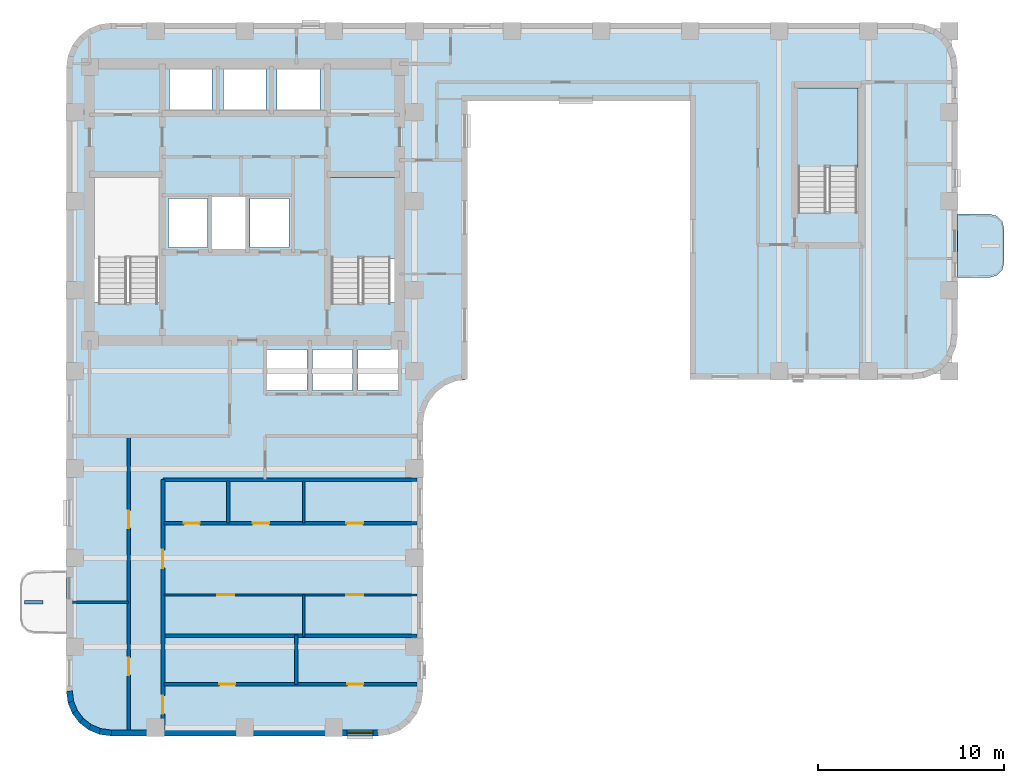
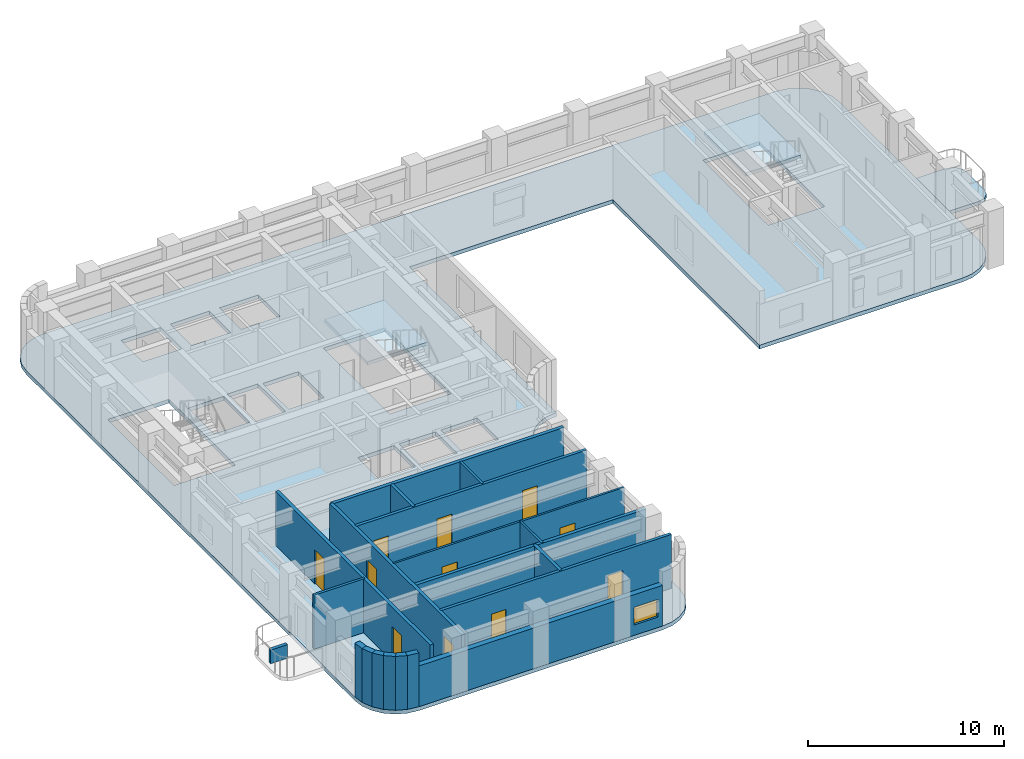
# One storey, part 2 of 9: 20 walls, 11 doors, 4 slabs, 1 window, 12 openings, 2 elements without a shape of their own.
"""IFC4 building model written with IfcOpenShell, lengths in metres."""

from ifc_helpers import new_model, si_unit, direction, frame, frame_2d, origin, place, context, subcontext, project, spatial, polyline, rectangle, outline, extrude, material, layer, layer_set, type_object, element, fill, aggregate, save


model = new_model("IFC4")

# Units and contexts
model_context = context("Model", 3, precision=1e-05, world=origin(), true_north=direction((0.0, 1.0)))
body_context = subcontext(model_context, "Body", "Model", "MODEL_VIEW")
ifc_project = project(units=[si_unit("LENGTHUNIT", "METRE"), si_unit("AREAUNIT", "SQUARE_METRE"), si_unit("VOLUMEUNIT", "CUBIC_METRE"), si_unit("PLANEANGLEUNIT", "RADIAN"), si_unit("MASSUNIT", "GRAM", prefix="KILO")], contexts=[model_context])

# Site, building, storey
site_placement = place(None, origin())
site = spatial("IfcSite", under=ifc_project, at=site_placement, CompositionType="ELEMENT")
building_placement = place(site_placement, origin())
building = spatial("IfcBuilding", under=site, at=building_placement, Name="Orvandelia Arch Residences", CompositionType="ELEMENT")
storey_placement = place(building_placement, frame((0.0, 0.0, 186.39990234375)))
storey = spatial("IfcBuildingStorey", under=building, at=storey_placement, Name="L49", CompositionType="ELEMENT", Elevation=186.39990234375)

# Slab
ifc_material_1 = material(Name="Precast concrete C40/50", Category="concrete")
ifc_layer_1 = layer(ifc_material_1, 0.219970703125, Name="Precast concrete C40/50", Category="concrete")
ifc_layer_set_1 = layer_set([ifc_layer_1], Name="Precast concrete C40/50")
slab_type_1 = type_object("IfcSlabType", Name="SLB-BAL-220", PredefinedType="USERDEFINED", material=ifc_layer_set_1)
slab_1_placement = place(storey_placement, frame((0.0, 0.0, -0.219970703125)))
element("IfcSlab", 1, at=slab_1_placement, inside=storey, type_object=slab_type_1, Name="Tree Balcony Cantilever Slab BAL-L49-E1", ObjectType="BALCONY", PredefinedType="USERDEFINED", context=body_context, shape_type="SweptSolid", body=[
    extrude(outline(polyline([(52.800048828125, 37.699951171875), (52.800048828125, 34.300048828125), (54.550048828125, 34.300048828125), (54.925048828125, 34.400390625), (55.199462890625, 34.675048828125), (55.300048828125, 35.050048828125), (55.300048828125, 36.949951171875), (55.199462890625, 37.324951171875), (54.925048828125, 37.599609375), (54.550048828125, 37.699951171875), (52.800048828125, 37.699951171875)])), origin(), (0.0, 0.0, 1.0), 0.219970703125),
])

# Stair, slab
ifc_material_2 = material(Name="Concrete C40/50", Category="concrete")
stair_type = type_object("IfcStairType", Name="STAIR-RC-DOGLEG", PredefinedType="HALF_TURN_STAIR", material=ifc_material_2)
stair_1_placement = place(storey_placement, origin())
stair_1 = element("IfcStair", 2, at=stair_1_placement, inside=storey, type_object=stair_type, Name="L49 Protected Exit Stair ST-2", PredefinedType="HALF_TURN_STAIR")
ifc_layer_2 = layer(ifc_material_2, 0.219970703125, Name="Concrete C40/50", Category="concrete")
ifc_layer_set_2 = layer_set([ifc_layer_2], Name="Concrete C40/50")
slab_type_2 = type_object("IfcSlabType", Name="SLB-LANDING-220", PredefinedType="LANDING", material=ifc_layer_set_2)
slab_2_placement = place(storey_placement, frame((0.0, 0.0, 1.60009765625)))
slab_2 = element("IfcSlab", 3, at=slab_2_placement, type_object=slab_type_2, Name="ST-2 landing 1", PredefinedType="LANDING", context=body_context, shape_type="SweptSolid", body=[
    extrude(outline(polyline([(22.5400390625, 35.31005859375), (22.5400390625, 39.68994140625), (19.0, 39.68994140625), (19.0, 35.31005859375), (22.5400390625, 35.31005859375)])), origin(), (0.0, 0.0, 1.0), 0.199951171875),
])
aggregate(stair_1, [slab_2])

stair_2_placement = place(storey_placement, origin())
stair_2 = element("IfcStair", 4, at=stair_2_placement, inside=storey, type_object=stair_type, Name="L49 East Wing Exit Stair ST-3", PredefinedType="HALF_TURN_STAIR")
slab_3_placement = place(storey_placement, frame((0.0, 0.0, 1.60009765625)))
slab_3 = element("IfcSlab", 5, at=slab_3_placement, type_object=slab_type_2, Name="ST-3 landing 1", PredefinedType="LANDING", context=body_context, shape_type="SweptSolid", body=[
    extrude(outline(polyline([(47.43994140625, 40.2099609375), (47.43994140625, 44.5), (44.179931640625, 44.5), (44.179931640625, 40.2099609375), (47.43994140625, 40.2099609375)])), origin(), (0.0, 0.0, 1.0), 0.199951171875),
])
aggregate(stair_2, [slab_3])

# Slab
ifc_layer_3 = layer(ifc_material_2, 0.239990234375, Name="Concrete C40/50", Category="concrete")
ifc_layer_set_3 = layer_set([ifc_layer_3], Name="Concrete C40/50")
slab_type_3 = type_object("IfcSlabType", Name="SLB-TWR-240", PredefinedType="FLOOR", material=ifc_layer_set_3)
slab_4_placement = place(storey_placement, frame((0.0, 0.0, -0.239990234375)))
element("IfcSlab", 6, at=slab_4_placement, inside=storey, type_object=slab_type_3, Name="Structural Floor Slab L49-1", PredefinedType="FLOOR", context=body_context, shape_type="SweptSolid", body=[
    extrude(outline(polyline([(4.800048828125, 12.0), (4.8818359375, 11.37890625), (5.12158203125, 10.800048828125), (5.5029296875, 10.302978515625), (6.0, 9.92138671875), (6.578857421875, 9.681884765625), (7.199951171875, 9.60009765625), (21.60009765625, 9.60009765625), (22.22119140625, 9.681884765625), (22.800048828125, 9.92138671875), (23.297119140625, 10.302978515625), (23.678466796875, 10.800048828125), (23.918212890625, 11.37890625), (24.0, 12.0), (24.0, 26.39990234375), (24.081787109375, 27.021240234375), (24.321533203125, 27.60009765625), (24.702880859375, 28.09716796875), (25.199951171875, 28.478515625), (25.77880859375, 28.71826171875), (26.39990234375, 28.800048828125), (26.39990234375, 43.800048828125), (38.39990234375, 43.800048828125), (38.39990234375, 28.800048828125), (50.39990234375, 28.800048828125), (51.021240234375, 28.8818359375), (51.60009765625, 29.12158203125), (52.09716796875, 29.5029296875), (52.478515625, 30.0), (52.71826171875, 30.578857421875), (52.800048828125, 31.199951171875), (52.800048828125, 45.60009765625), (52.71826171875, 46.22119140625), (52.478515625, 46.800048828125), (52.09716796875, 47.297119140625), (51.60009765625, 47.678466796875), (51.021240234375, 47.918212890625), (50.39990234375, 48.0), (7.199951171875, 48.0), (6.578857421875, 47.918212890625), (6.0, 47.678466796875), (5.5029296875, 47.297119140625), (5.12158203125, 46.800048828125), (4.8818359375, 46.22119140625), (4.800048828125, 45.60009765625), (4.800048828125, 12.0)]), holes=[polyline([(6.219970703125, 32.949951171875), (9.840087890625, 32.949951171875), (9.840087890625, 39.72998046875), (6.219970703125, 39.72998046875), (6.219970703125, 32.949951171875)]), polyline([(18.9599609375, 32.949951171875), (22.580078125, 32.949951171875), (22.580078125, 39.72998046875), (18.9599609375, 39.72998046875), (18.9599609375, 32.949951171875)]), polyline([(44.139892578125, 37.85009765625), (47.47998046875, 37.85009765625), (47.47998046875, 44.5400390625), (44.139892578125, 44.5400390625), (44.139892578125, 37.85009765625)]), polyline([(12.639892578125, 35.81005859375), (14.4599609375, 35.81005859375), (14.4599609375, 38.639892578125), (12.639892578125, 38.639892578125), (12.639892578125, 35.81005859375)]), polyline([(10.300048828125, 35.89990234375), (12.39990234375, 35.89990234375), (12.39990234375, 38.550048828125), (10.300048828125, 38.550048828125), (10.300048828125, 35.89990234375)]), polyline([(14.699951171875, 35.89990234375), (16.800048828125, 35.89990234375), (16.800048828125, 38.550048828125), (14.699951171875, 38.550048828125), (14.699951171875, 35.89990234375)]), polyline([(10.35009765625, 43.300048828125), (12.64990234375, 43.300048828125), (12.64990234375, 45.5), (10.35009765625, 45.5), (10.35009765625, 43.300048828125)]), polyline([(13.25, 43.300048828125), (15.550048828125, 43.300048828125), (15.550048828125, 45.5), (13.25, 45.5), (13.25, 43.300048828125)]), polyline([(16.14990234375, 43.300048828125), (18.449951171875, 43.300048828125), (18.449951171875, 45.5), (16.14990234375, 45.5), (16.14990234375, 43.300048828125)]), polyline([(15.60009765625, 28.199951171875), (17.75, 28.199951171875), (17.75, 30.39990234375), (15.60009765625, 30.39990234375), (15.60009765625, 28.199951171875)]), polyline([(18.050048828125, 28.199951171875), (20.199951171875, 28.199951171875), (20.199951171875, 30.39990234375), (18.050048828125, 30.39990234375), (18.050048828125, 28.199951171875)]), polyline([(20.5, 28.199951171875), (22.64990234375, 28.199951171875), (22.64990234375, 30.39990234375), (20.5, 30.39990234375), (20.5, 28.199951171875)])]), origin(), (0.0, 0.0, 1.0), 0.239990234375),
])

# Wall, openings, doors
ifc_material_3 = material(Name="Fire-Rated Corridor Partition")
ifc_layer_4 = layer(ifc_material_3, 0.199951171875, Name="Fire-Rated Corridor Partition")
ifc_layer_set_4 = layer_set([ifc_layer_4], Name="Fire-Rated Corridor Partition")
wall_type_1 = type_object("IfcWallType", Name="WL-CORR-200", PredefinedType="PARTITIONING", material=ifc_layer_set_4)
wall_1_placement = place(storey_placement, frame((8.14990234375, 9.919921875, 0.0), z_axis=(0.0, 0.0, 1.0), x_axis=(0.0, 1.0, 0.0)))
wall_1 = element("IfcWall", 7, at=wall_1_placement, inside=storey, type_object=wall_type_1, Name="Interior Partition Wall WL-L49-WC-W", PredefinedType="PARTITIONING", context=body_context, shape_type="SweptSolid", body=[
    extrude(rectangle(XDim=15.830078125, YDim=0.199951171875, at=frame_2d((7.9150390625, 0.0))), origin(), (0.0, 0.0, 1.0), 3.360107421875),
])
opening_1_placement = place(wall_1_placement, frame((2.949951171875, 0.0, 0.0)))
opening_1 = element("IfcOpeningElement", 8, at=opening_1_placement, cuts=wall_1, Name="Opening D2", PredefinedType="OPENING", context=body_context, shape_type="SweptSolid", body=[
    extrude(rectangle(XDim=0.949951171875, YDim=2.14990234375, at=frame_2d((0.47509765625, 1.074951171875))), frame((0.0, 0.10986328125, 0.0), z_axis=(0.0, -1.0, 0.0), x_axis=(1.0, 0.0, 0.0)), (0.0, 0.0, 1.0), 0.219970703125),
])
opening_2_placement = place(wall_1_placement, frame((10.8701171875, 0.0, 0.0)))
opening_2 = element("IfcOpeningElement", 9, at=opening_2_placement, cuts=wall_1, Name="Opening D2", PredefinedType="OPENING", context=body_context, shape_type="SweptSolid", body=[
    extrude(rectangle(XDim=0.949951171875, YDim=2.14990234375, at=frame_2d((0.47509765625, 1.074951171875))), frame((0.0, 0.10986328125, 0.0), z_axis=(0.0, -1.0, 0.0), x_axis=(1.0, 0.0, 0.0)), (0.0, 0.0, 1.0), 0.219970703125),
])
ifc_material_4 = material(Name="Solid-Core Timber Interior Fire Door", Category="wood")
door_type_1 = type_object("IfcDoorType", Name="DR-APT-950", OperationType="NOTDEFINED", PredefinedType="DOOR", material=ifc_material_4)
door_1_placement = place(opening_1_placement, origin())
door_1 = element("IfcDoor", 10, at=door_1_placement, inside=storey, type_object=door_type_1, Name="DR-L49-WGRM-1", OperationType="SINGLE_SWING_LEFT", OverallHeight=2.14990234375, OverallWidth=0.949951171875, PredefinedType="DOOR", context=body_context, shape_type="SweptSolid", body=[
    extrude(rectangle(XDim=0.949951171875, YDim=2.14990234375, at=frame_2d((0.47509765625, 1.074951171875))), frame((0.0, 0.02490234375, 0.0), z_axis=(0.0, -1.0, 0.0), x_axis=(1.0, 0.0, 0.0)), (0.0, 0.0, 1.0), 0.050048828125),
])
fill(opening_1, door_1)
door_2_placement = place(opening_2_placement, origin())
door_2 = element("IfcDoor", 11, at=door_2_placement, inside=storey, type_object=door_type_1, Name="DR-L49-WGRM-2", OperationType="SINGLE_SWING_RIGHT", OverallHeight=2.14990234375, OverallWidth=0.949951171875, PredefinedType="DOOR", context=body_context, shape_type="SweptSolid", body=[
    extrude(rectangle(XDim=0.949951171875, YDim=2.14990234375, at=frame_2d((0.47509765625, 1.074951171875))), frame((0.0, 0.02490234375, 0.0), z_axis=(0.0, -1.0, 0.0), x_axis=(1.0, 0.0, 0.0)), (0.0, 0.0, 1.0), 0.050048828125),
])
fill(opening_2, door_2)

wall_2_placement = place(storey_placement, frame((10.0, 9.919921875, 0.0), z_axis=(0.0, 0.0, 1.0), x_axis=(0.0, 1.0, 0.0)))
wall_2 = element("IfcWall", 12, at=wall_2_placement, inside=storey, type_object=wall_type_1, Name="Interior Partition Wall WL-L49-WC-E", PredefinedType="PARTITIONING", context=body_context, shape_type="SweptSolid", body=[
    extrude(rectangle(XDim=13.47998046875, YDim=0.199951171875, at=frame_2d((6.739990234375, 0.0))), origin(), (0.0, 0.0, 1.0), 3.360107421875),
])
opening_3_placement = place(wall_2_placement, frame((0.867919921875, 0.0, 0.0)))
opening_3 = element("IfcOpeningElement", 13, at=opening_3_placement, cuts=wall_2, Name="Opening D1", PredefinedType="OPENING", context=body_context, shape_type="SweptSolid", body=[
    extrude(rectangle(XDim=0.97998046875, YDim=2.179931640625, at=frame_2d((0.489990234375, 1.08984375))), frame((0.0, 0.10986328125, 0.0), z_axis=(0.0, -1.0, 0.0), x_axis=(1.0, 0.0, 0.0)), (0.0, 0.0, 1.0), 0.219970703125),
])
opening_4_placement = place(wall_2_placement, frame((8.716064453125, 0.0, 0.0)))
opening_4 = element("IfcOpeningElement", 14, at=opening_4_placement, cuts=wall_2, Name="Opening D1", PredefinedType="OPENING", context=body_context, shape_type="SweptSolid", body=[
    extrude(rectangle(XDim=0.97998046875, YDim=2.179931640625, at=frame_2d((0.489990234375, 1.08984375))), frame((0.0, 0.10986328125, 0.0), z_axis=(0.0, -1.0, 0.0), x_axis=(1.0, 0.0, 0.0)), (0.0, 0.0, 1.0), 0.219970703125),
])
ifc_material_5 = material(Name="Solid-Core Timber Acoustic Fire Door", Category="wood")
door_type_2 = type_object("IfcDoorType", Name="DR-ENT-980", OperationType="NOTDEFINED", PredefinedType="DOOR", material=ifc_material_5)
door_3_placement = place(opening_3_placement, origin())
door_3 = element("IfcDoor", 15, at=door_3_placement, inside=storey, type_object=door_type_2, Name="Unit L49-01 Entrance Door", OperationType="SINGLE_SWING_LEFT", OverallHeight=2.179931640625, OverallWidth=0.97998046875, PredefinedType="DOOR", context=body_context, shape_type="SweptSolid", body=[
    extrude(rectangle(XDim=0.97998046875, YDim=2.179931640625, at=frame_2d((0.489990234375, 1.08984375))), frame((0.0, 0.02490234375, 0.0), z_axis=(0.0, -1.0, 0.0), x_axis=(1.0, 0.0, 0.0)), (0.0, 0.0, 1.0), 0.050048828125),
])
fill(opening_3, door_3)
door_4_placement = place(opening_4_placement, origin())
door_4 = element("IfcDoor", 16, at=door_4_placement, inside=storey, type_object=door_type_2, Name="Unit L49-02 Entrance Door", OperationType="SINGLE_SWING_RIGHT", OverallHeight=2.179931640625, OverallWidth=0.97998046875, PredefinedType="DOOR", context=body_context, shape_type="SweptSolid", body=[
    extrude(rectangle(XDim=0.97998046875, YDim=2.179931640625, at=frame_2d((0.489990234375, 1.08984375))), frame((0.0, 0.02490234375, 0.0), z_axis=(0.0, -1.0, 0.0), x_axis=(1.0, 0.0, 0.0)), (0.0, 0.0, 1.0), 0.050048828125),
])
fill(opening_4, door_4)

# Walls
wall_3_placement = place(storey_placement, frame((10.0, 23.39990234375, 0.0), z_axis=(0.0, 0.0, 1.0), x_axis=(1.0, 0.0, 0.0)))
element("IfcWall", 17, at=wall_3_placement, inside=storey, type_object=wall_type_1, Name="Interior Partition Wall WL-L49-WLNK-S", PredefinedType="PARTITIONING", context=body_context, shape_type="SweptSolid", body=[
    extrude(rectangle(XDim=13.679931640625, YDim=0.199951171875, at=frame_2d((6.83984375, 0.0))), origin(), (0.0, 0.0, 1.0), 3.360107421875),
])
ifc_layer_5 = layer(ifc_material_2, 0.199951171875, Name="Concrete C40/50", Category="concrete")
ifc_layer_set_5 = layer_set([ifc_layer_5], Name="Concrete C40/50")
wall_type_2 = type_object("IfcWallType", Name="WL-DEM-200", PredefinedType="SOLIDWALL", material=ifc_layer_set_5)
wall_4_placement = place(storey_placement, frame((10.0, 15.0, 0.0), z_axis=(0.0, 0.0, 1.0), x_axis=(1.0, 0.0, 0.0)))
element("IfcWall", 18, at=wall_4_placement, inside=storey, type_object=wall_type_2, Name="Interior Partition Wall WL-L49-DEM-WR-150", PredefinedType="SOLIDWALL", context=body_context, shape_type="SweptSolid", body=[
    extrude(rectangle(XDim=13.679931640625, YDim=0.199951171875, at=frame_2d((6.83984375, 0.0))), origin(), (0.0, 0.0, 1.0), 3.360107421875),
])

# Wall, opening, window
ifc_layer_6 = layer(ifc_material_1, 0.320068359375, Name="Precast concrete C40/50", Category="concrete")
ifc_layer_set_6 = layer_set([ifc_layer_6], Name="Precast concrete C40/50")
wall_type_3 = type_object("IfcWallType", Name="WL-EXT-STONE-320", PredefinedType="STANDARD", material=ifc_layer_set_6)
wall_5_placement = place(storey_placement, frame((21.60009765625, 9.760009765625, 0.0), z_axis=(0.0, 0.0, 1.0), x_axis=(-1.0, 0.0, 0.0)))
wall_5 = element("IfcWall", 19, at=wall_5_placement, inside=storey, type_object=wall_type_3, Name="Coral-Limestone Precast Facade Wall L49-038", PredefinedType="STANDARD", context=body_context, shape_type="SweptSolid", body=[
    extrude(rectangle(XDim=14.400146484375, YDim=0.320068359375, at=frame_2d((7.2001953125, 0.0))), origin(), (0.0, 0.0, 1.0), 2.5400390625),
])
opening_5_placement = place(wall_5_placement, frame((0.282470703125, 0.0, 0.64990234375)))
opening_5 = element("IfcOpeningElement", 20, at=opening_5_placement, cuts=wall_5, Name="Opening W10", PredefinedType="OPENING", context=body_context, shape_type="SweptSolid", body=[
    extrude(rectangle(XDim=1.39990234375, YDim=1.10009765625, at=frame_2d((0.699951171875, 0.550048828125))), frame((0.0, 0.169921875, 0.0), z_axis=(0.0, -1.0, 0.0), x_axis=(1.0, 0.0, 0.0)), (0.0, 0.0, 1.0), 0.340087890625),
])
ifc_material_6 = material(Name="Tempered Low-E Insulated Glazing", Category="glass")
window_type = type_object("IfcWindowType", Name="WIN-CLR-1400x1100", PartitioningType="SINGLE_PANEL", PredefinedType="WINDOW", material=ifc_material_6)
window_placement = place(opening_5_placement, origin())
window = element("IfcWindow", 21, at=window_placement, inside=storey, type_object=window_type, Name="Recessed Punched Window L49-021", OverallHeight=1.10009765625, OverallWidth=1.39990234375, PartitioningType="SINGLE_PANEL", PredefinedType="WINDOW", context=body_context, shape_type="SweptSolid", body=[
    extrude(rectangle(XDim=1.39990234375, YDim=1.10009765625, at=frame_2d((0.699951171875, 0.550048828125))), frame((0.0, 0.030029296875, 0.0), z_axis=(0.0, -1.0, 0.0), x_axis=(1.0, 0.0, 0.0)), (0.0, 0.0, 1.0), 0.06005859375),
])
fill(opening_5, window)

# Walls
wall_6_placement = place(storey_placement, frame((7.220947265625, 9.758544921875, 0.0), z_axis=(0.0, 0.0, 1.0), x_axis=(-0.991447664465, 0.130504898859, 0.0)))
element("IfcWall", 22, at=wall_6_placement, inside=storey, type_object=wall_type_3, Name="Coral-Limestone Precast Facade Wall L49-039", PredefinedType="STANDARD", context=body_context, shape_type="SweptSolid", body=[
    extrude(rectangle(XDim=0.626708984375, YDim=0.320068359375, at=frame_2d((0.3134765625, 0.0))), origin(), (0.0, 0.0, 1.0), 3.360107421875),
])
wall_7_placement = place(storey_placement, frame((6.639892578125, 9.82958984375, 0.0), z_axis=(0.0, 0.0, 1.0), x_axis=(-0.923836271867, 0.382787856107, 0.0)))
element("IfcWall", 23, at=wall_7_placement, inside=storey, type_object=wall_type_3, Name="Coral-Limestone Precast Facade Wall L49-040", PredefinedType="STANDARD", context=body_context, shape_type="SweptSolid", body=[
    extrude(rectangle(XDim=0.626220703125, YDim=0.320068359375, at=frame_2d((0.31298828125, 0.0))), origin(), (0.0, 0.0, 1.0), 3.360107421875),
])
wall_8_placement = place(storey_placement, frame((6.097412109375, 10.04833984375, 0.0), z_axis=(0.0, 0.0, 1.0), x_axis=(-0.793405610854, 0.608693302629, 0.0)))
element("IfcWall", 24, at=wall_8_placement, inside=storey, type_object=wall_type_3, Name="Coral-Limestone Precast Facade Wall L49-041", PredefinedType="STANDARD", context=body_context, shape_type="SweptSolid", body=[
    extrude(rectangle(XDim=0.62646484375, YDim=0.320068359375, at=frame_2d((0.313232421875, 0.0))), origin(), (0.0, 0.0, 1.0), 3.360107421875),
])
wall_9_placement = place(storey_placement, frame((5.6298828125, 10.400390625, 0.0), z_axis=(0.0, 0.0, 1.0), x_axis=(-0.608938521285, 0.7932174212, 0.0)))
element("IfcWall", 25, at=wall_9_placement, inside=storey, type_object=wall_type_3, Name="Coral-Limestone Precast Facade Wall L49-042", PredefinedType="STANDARD", context=body_context, shape_type="SweptSolid", body=[
    extrude(rectangle(XDim=0.626708984375, YDim=0.320068359375, at=frame_2d((0.3134765625, 0.0))), origin(), (0.0, 0.0, 1.0), 3.360107421875),
])
wall_10_placement = place(storey_placement, frame((5.269287109375, 10.861083984375, 0.0), z_axis=(0.0, 0.0, 1.0), x_axis=(-0.382650053678, 0.92389335771, 0.0)))
element("IfcWall", 26, at=wall_10_placement, inside=storey, type_object=wall_type_3, Name="Coral-Limestone Precast Facade Wall L49-043", PredefinedType="STANDARD", context=body_context, shape_type="SweptSolid", body=[
    extrude(rectangle(XDim=0.62646484375, YDim=0.320068359375, at=frame_2d((0.313232421875, 0.0))), origin(), (0.0, 0.0, 1.0), 3.360107421875),
])
wall_11_placement = place(storey_placement, frame((5.040283203125, 11.399658203125, 0.0), z_axis=(0.0, 0.0, 1.0), x_axis=(-0.130504898859, 0.991447664465, 0.0)))
element("IfcWall", 27, at=wall_11_placement, inside=storey, type_object=wall_type_3, Name="Coral-Limestone Precast Facade Wall L49-044", PredefinedType="STANDARD", context=body_context, shape_type="SweptSolid", body=[
    extrude(rectangle(XDim=0.626708984375, YDim=0.320068359375, at=frame_2d((0.3134765625, 0.0))), origin(), (0.0, 0.0, 1.0), 3.360107421875),
])

# Wall, openings, doors
ifc_material_7 = material(Name="Lightweight Gypsum Stud Partition")
ifc_layer_7 = layer(ifc_material_7, 0.1201171875, Name="Lightweight Gypsum Stud Partition")
ifc_layer_set_7 = layer_set([ifc_layer_7], Name="Lightweight Gypsum Stud Partition")
wall_type_4 = type_object("IfcWallType", Name="WL-PART-120", PredefinedType="PARTITIONING", material=ifc_layer_set_7)
wall_12_placement = place(storey_placement, frame((10.06005859375, 17.19189453125, 0.0), z_axis=(0.0, 0.0, 1.0), x_axis=(1.0, 0.0, 0.0)))
wall_12 = element("IfcWall", 28, at=wall_12_placement, inside=storey, type_object=wall_type_4, Name="Interior Partition Wall WL-L49-U02-HB", PredefinedType="PARTITIONING", context=body_context, shape_type="SweptSolid", body=[
    extrude(rectangle(XDim=13.619873046875, YDim=0.1201171875, at=frame_2d((6.81005859375, 0.0))), origin(), (0.0, 0.0, 1.0), 3.360107421875),
])
opening_6_placement = place(wall_12_placement, frame((2.868408203125, 0.0, 0.0)))
opening_6 = element("IfcOpeningElement", 29, at=opening_6_placement, cuts=wall_12, Name="Opening D3", PredefinedType="OPENING", context=body_context, shape_type="SweptSolid", body=[
    extrude(rectangle(XDim=0.89990234375, YDim=2.14990234375, at=frame_2d((0.449951171875, 1.074951171875))), frame((0.0, 0.070068359375, 0.0), z_axis=(0.0, -1.0, 0.0), x_axis=(1.0, 0.0, 0.0)), (0.0, 0.0, 1.0), 0.14013671875),
])
opening_7_placement = place(wall_12_placement, frame((9.82177734375, 0.0, 0.0)))
opening_7 = element("IfcOpeningElement", 30, at=opening_7_placement, cuts=wall_12, Name="Opening D3", PredefinedType="OPENING", context=body_context, shape_type="SweptSolid", body=[
    extrude(rectangle(XDim=0.89990234375, YDim=2.14990234375, at=frame_2d((0.449951171875, 1.074951171875))), frame((0.0, 0.070068359375, 0.0), z_axis=(0.0, -1.0, 0.0), x_axis=(1.0, 0.0, 0.0)), (0.0, 0.0, 1.0), 0.14013671875),
])
ifc_material_8 = material(Name="Engineered Timber Flush Door", Category="wood")
door_type_3 = type_object("IfcDoorType", Name="DR-INT-900", OperationType="NOTDEFINED", PredefinedType="DOOR", material=ifc_material_8)
door_5_placement = place(opening_6_placement, origin())
door_5 = element("IfcDoor", 31, at=door_5_placement, inside=storey, type_object=door_type_3, Name="DR-L49-U02-STDY", OperationType="SINGLE_SWING_RIGHT", OverallHeight=2.14990234375, OverallWidth=0.89990234375, PredefinedType="DOOR", context=body_context, shape_type="SweptSolid", body=[
    extrude(rectangle(XDim=0.89990234375, YDim=2.14990234375, at=frame_2d((0.449951171875, 1.074951171875))), frame((0.0, 0.02490234375, 0.0), z_axis=(0.0, -1.0, 0.0), x_axis=(1.0, 0.0, 0.0)), (0.0, 0.0, 1.0), 0.050048828125),
])
fill(opening_6, door_5)
door_6_placement = place(opening_7_placement, origin())
door_6 = element("IfcDoor", 32, at=door_6_placement, inside=storey, type_object=door_type_3, Name="DR-L49-U02-BD2", OperationType="SINGLE_SWING_LEFT", OverallHeight=2.14990234375, OverallWidth=0.89990234375, PredefinedType="DOOR", context=body_context, shape_type="SweptSolid", body=[
    extrude(rectangle(XDim=0.89990234375, YDim=2.14990234375, at=frame_2d((0.449951171875, 1.074951171875))), frame((0.0, 0.02490234375, 0.0), z_axis=(0.0, -1.0, 0.0), x_axis=(1.0, 0.0, 0.0)), (0.0, 0.0, 1.0), 0.050048828125),
])
fill(opening_7, door_6)

# Walls
wall_13_placement = place(storey_placement, frame((17.583984375, 14.9599609375, 0.0), z_axis=(0.0, 0.0, 1.0), x_axis=(0.0, 1.0, 0.0)))
element("IfcWall", 33, at=wall_13_placement, inside=storey, type_object=wall_type_4, Name="Interior Partition Wall WL-L49-U02-VB", PredefinedType="PARTITIONING", context=body_context, shape_type="SweptSolid", body=[
    extrude(rectangle(XDim=2.23193359375, YDim=0.1201171875, at=frame_2d((1.115966796875, 0.0))), origin(), (0.0, 0.0, 1.0), 3.360107421875),
])
wall_14_placement = place(storey_placement, frame((17.583984375, 21.06005859375, 0.0), z_axis=(0.0, 0.0, 1.0), x_axis=(0.0, 1.0, 0.0)))
element("IfcWall", 34, at=wall_14_placement, inside=storey, type_object=wall_type_4, Name="Interior Partition Wall WL-L49-U02-V2", PredefinedType="PARTITIONING", context=body_context, shape_type="SweptSolid", body=[
    extrude(rectangle(XDim=2.280029296875, YDim=0.1201171875, at=frame_2d((1.14013671875, 0.0))), origin(), (0.0, 0.0, 1.0), 3.360107421875),
])
ifc_material_9 = material(Name="Acoustic Gypsum Stud Partition")
ifc_layer_8 = layer(ifc_material_9, 0.14990234375, Name="Acoustic Gypsum Stud Partition")
ifc_layer_set_8 = layer_set([ifc_layer_8], Name="Acoustic Gypsum Stud Partition")
wall_type_5 = type_object("IfcWallType", Name="WL-PART-150", PredefinedType="PARTITIONING", material=ifc_layer_set_8)
wall_15_placement = place(storey_placement, frame((5.1201171875, 16.800048828125, 0.0), z_axis=(0.0, 0.0, 1.0), x_axis=(1.0, 0.0, 0.0)))
element("IfcWall", 35, at=wall_15_placement, inside=storey, type_object=wall_type_5, Name="Interior Partition Wall WL-L49-WGDIV-1", PredefinedType="PARTITIONING", context=body_context, shape_type="SweptSolid", body=[
    extrude(rectangle(XDim=3.02978515625, YDim=0.14990234375, at=frame_2d((1.514892578125, 0.0))), origin(), (0.0, 0.0, 1.0), 3.360107421875),
])
ifc_layer_9 = layer(ifc_material_1, 0.199951171875, Name="Precast concrete C40/50", Category="concrete")
ifc_layer_set_9 = layer_set([ifc_layer_9], Name="Precast concrete C40/50")
wall_type_6 = type_object("IfcWallType", Name="WL-PLANTER-200", PredefinedType="MOVABLE", material=ifc_layer_set_9)
wall_16_placement = place(storey_placement, frame((2.550048828125, 16.800048828125, 0.0), z_axis=(0.0, 0.0, 1.0), x_axis=(1.0, 0.0, 0.0)))
element("IfcWall", 36, at=wall_16_placement, inside=storey, type_object=wall_type_6, Name="Balcony Precast Tree Planter BAL-L49-W1", PredefinedType="MOVABLE", context=body_context, shape_type="SweptSolid", body=[
    extrude(rectangle(XDim=1.0, YDim=0.199951171875, at=frame_2d((0.5, 0.0))), origin(), (0.0, 0.0, 1.0), 0.85009765625),
])

# Wall, openings, doors
ifc_material_10 = material(Name="Moisture-Resistant Plumbing Wall")
ifc_layer_10 = layer(ifc_material_10, 0.179931640625, Name="Moisture-Resistant Plumbing Wall")
ifc_layer_set_10 = layer_set([ifc_layer_10], Name="Moisture-Resistant Plumbing Wall")
wall_type_7 = type_object("IfcWallType", Name="WL-WET-180", PredefinedType="PLUMBINGWALL", material=ifc_layer_set_10)
wall_17_placement = place(storey_placement, frame((10.06005859375, 12.3759765625, 0.0), z_axis=(0.0, 0.0, 1.0), x_axis=(1.0, 0.0, 0.0)))
wall_17 = element("IfcWall", 37, at=wall_17_placement, inside=storey, type_object=wall_type_7, Name="Interior Partition Wall WL-L49-U01-HZ", PredefinedType="PLUMBINGWALL", context=body_context, shape_type="SweptSolid", body=[
    extrude(rectangle(XDim=13.619873046875, YDim=0.179931640625, at=frame_2d((6.81005859375, 0.0))), origin(), (0.0, 0.0, 1.0), 3.360107421875),
])
opening_8_placement = place(wall_17_placement, frame((2.98193359375, 0.0, 0.0)))
opening_8 = element("IfcOpeningElement", 38, at=opening_8_placement, cuts=wall_17, Name="Opening D4", PredefinedType="OPENING", context=body_context, shape_type="SweptSolid", body=[
    extrude(rectangle(XDim=0.860107421875, YDim=2.10009765625, at=frame_2d((0.43017578125, 1.050048828125))), frame((0.0, 0.10009765625, 0.0), z_axis=(0.0, -1.0, 0.0), x_axis=(1.0, 0.0, 0.0)), (0.0, 0.0, 1.0), 0.199951171875),
])
opening_9_placement = place(wall_17_placement, frame((9.8720703125, 0.0, 0.0)))
opening_9 = element("IfcOpeningElement", 39, at=opening_9_placement, cuts=wall_17, Name="Opening D4", PredefinedType="OPENING", context=body_context, shape_type="SweptSolid", body=[
    extrude(rectangle(XDim=0.860107421875, YDim=2.10009765625, at=frame_2d((0.43017578125, 1.050048828125))), frame((0.0, 0.10009765625, 0.0), z_axis=(0.0, -1.0, 0.0), x_axis=(1.0, 0.0, 0.0)), (0.0, 0.0, 1.0), 0.199951171875),
])
ifc_material_11 = material(Name="Moisture-Sealed Timber Bathroom Door", Category="wood")
door_type_4 = type_object("IfcDoorType", Name="DR-WET-900", OperationType="NOTDEFINED", PredefinedType="DOOR", material=ifc_material_11)
door_7_placement = place(opening_8_placement, origin())
door_7 = element("IfcDoor", 40, at=door_7_placement, inside=storey, type_object=door_type_4, Name="DR-L49-U01-KIT", OperationType="SINGLE_SWING_LEFT", OverallHeight=2.10009765625, OverallWidth=0.860107421875, PredefinedType="DOOR", context=body_context, shape_type="SweptSolid", body=[
    extrude(rectangle(XDim=0.860107421875, YDim=2.10009765625, at=frame_2d((0.43017578125, 1.050048828125))), frame((0.0, 0.02490234375, 0.0), z_axis=(0.0, -1.0, 0.0), x_axis=(1.0, 0.0, 0.0)), (0.0, 0.0, 1.0), 0.050048828125),
])
fill(opening_8, door_7)
door_8_placement = place(opening_9_placement, origin())
door_8 = element("IfcDoor", 41, at=door_8_placement, inside=storey, type_object=door_type_4, Name="DR-L49-U01-BTH", OperationType="SINGLE_SWING_RIGHT", OverallHeight=2.10009765625, OverallWidth=0.860107421875, PredefinedType="DOOR", context=body_context, shape_type="SweptSolid", body=[
    extrude(rectangle(XDim=0.860107421875, YDim=2.10009765625, at=frame_2d((0.43017578125, 1.050048828125))), frame((0.0, 0.02490234375, 0.0), z_axis=(0.0, -1.0, 0.0), x_axis=(1.0, 0.0, 0.0)), (0.0, 0.0, 1.0), 0.050048828125),
])
fill(opening_9, door_8)

# Wall
wall_18_placement = place(storey_placement, frame((17.174072265625, 12.3759765625, 0.0), z_axis=(0.0, 0.0, 1.0), x_axis=(0.0, 1.0, 0.0)))
element("IfcWall", 42, at=wall_18_placement, inside=storey, type_object=wall_type_7, Name="Interior Partition Wall WL-L49-U01-V1", PredefinedType="PLUMBINGWALL", context=body_context, shape_type="SweptSolid", body=[
    extrude(rectangle(XDim=2.6640625, YDim=0.179931640625, at=frame_2d((1.33203125, 0.0))), origin(), (0.0, 0.0, 1.0), 3.360107421875),
])

# Wall, openings, doors
wall_19_placement = place(storey_placement, frame((10.06005859375, 21.06005859375, 0.0), z_axis=(0.0, 0.0, 1.0), x_axis=(1.0, 0.0, 0.0)))
wall_19 = element("IfcWall", 43, at=wall_19_placement, inside=storey, type_object=wall_type_7, Name="Interior Partition Wall WL-L49-U02-HZ", PredefinedType="PLUMBINGWALL", context=body_context, shape_type="SweptSolid", body=[
    extrude(rectangle(XDim=13.619873046875, YDim=0.179931640625, at=frame_2d((6.81005859375, 0.0))), origin(), (0.0, 0.0, 1.0), 3.360107421875),
])
opening_10_placement = place(wall_19_placement, frame((1.0625, 0.0, 0.0)))
opening_10 = element("IfcOpeningElement", 44, at=opening_10_placement, cuts=wall_19, Name="Opening D4", PredefinedType="OPENING", context=body_context, shape_type="SweptSolid", body=[
    extrude(rectangle(XDim=0.860107421875, YDim=2.10009765625, at=frame_2d((0.43017578125, 1.050048828125))), frame((0.0, 0.10009765625, 0.0), z_axis=(0.0, -1.0, 0.0), x_axis=(1.0, 0.0, 0.0)), (0.0, 0.0, 1.0), 0.199951171875),
])
opening_11_placement = place(wall_19_placement, frame((4.771728515625, 0.0, 0.0)))
opening_11 = element("IfcOpeningElement", 45, at=opening_11_placement, cuts=wall_19, Name="Opening D3", PredefinedType="OPENING", context=body_context, shape_type="SweptSolid", body=[
    extrude(rectangle(XDim=0.89990234375, YDim=2.14990234375, at=frame_2d((0.449951171875, 1.074951171875))), frame((0.0, 0.10009765625, 0.0), z_axis=(0.0, -1.0, 0.0), x_axis=(1.0, 0.0, 0.0)), (0.0, 0.0, 1.0), 0.199951171875),
])
opening_12_placement = place(wall_19_placement, frame((9.82177734375, 0.0, 0.0)))
opening_12 = element("IfcOpeningElement", 46, at=opening_12_placement, cuts=wall_19, Name="Opening D3", PredefinedType="OPENING", context=body_context, shape_type="SweptSolid", body=[
    extrude(rectangle(XDim=0.89990234375, YDim=2.14990234375, at=frame_2d((0.449951171875, 1.074951171875))), frame((0.0, 0.10009765625, 0.0), z_axis=(0.0, -1.0, 0.0), x_axis=(1.0, 0.0, 0.0)), (0.0, 0.0, 1.0), 0.199951171875),
])
door_9_placement = place(opening_11_placement, origin())
door_9 = element("IfcDoor", 47, at=door_9_placement, inside=storey, type_object=door_type_3, Name="DR-L49-U02-KIT", OperationType="SINGLE_SWING_RIGHT", OverallHeight=2.14990234375, OverallWidth=0.89990234375, PredefinedType="DOOR", context=body_context, shape_type="SweptSolid", body=[
    extrude(rectangle(XDim=0.89990234375, YDim=2.14990234375, at=frame_2d((0.449951171875, 1.074951171875))), frame((0.0, 0.02490234375, 0.0), z_axis=(0.0, -1.0, 0.0), x_axis=(1.0, 0.0, 0.0)), (0.0, 0.0, 1.0), 0.050048828125),
])
fill(opening_11, door_9)
door_10_placement = place(opening_12_placement, origin())
door_10 = element("IfcDoor", 48, at=door_10_placement, inside=storey, type_object=door_type_3, Name="DR-L49-U02-BD1", OperationType="SINGLE_SWING_LEFT", OverallHeight=2.14990234375, OverallWidth=0.89990234375, PredefinedType="DOOR", context=body_context, shape_type="SweptSolid", body=[
    extrude(rectangle(XDim=0.89990234375, YDim=2.14990234375, at=frame_2d((0.449951171875, 1.074951171875))), frame((0.0, 0.02490234375, 0.0), z_axis=(0.0, -1.0, 0.0), x_axis=(1.0, 0.0, 0.0)), (0.0, 0.0, 1.0), 0.050048828125),
])
fill(opening_12, door_10)
door_11_placement = place(opening_10_placement, origin())
door_11 = element("IfcDoor", 49, at=door_11_placement, inside=storey, type_object=door_type_4, Name="DR-L49-U02-BTH", OperationType="SINGLE_SWING_LEFT", OverallHeight=2.10009765625, OverallWidth=0.860107421875, PredefinedType="DOOR", context=body_context, shape_type="SweptSolid", body=[
    extrude(rectangle(XDim=0.860107421875, YDim=2.10009765625, at=frame_2d((0.43017578125, 1.050048828125))), frame((0.0, 0.02490234375, 0.0), z_axis=(0.0, -1.0, 0.0), x_axis=(1.0, 0.0, 0.0)), (0.0, 0.0, 1.0), 0.050048828125),
])
fill(opening_10, door_11)

# Wall
wall_20_placement = place(storey_placement, frame((13.52099609375, 21.06005859375, 0.0), z_axis=(0.0, 0.0, 1.0), x_axis=(0.0, 1.0, 0.0)))
element("IfcWall", 50, at=wall_20_placement, inside=storey, type_object=wall_type_7, Name="Interior Partition Wall WL-L49-U02-V1", PredefinedType="PLUMBINGWALL", context=body_context, shape_type="SweptSolid", body=[
    extrude(rectangle(XDim=2.280029296875, YDim=0.179931640625, at=frame_2d((1.14013671875, 0.0))), origin(), (0.0, 0.0, 1.0), 3.360107421875),
])

save(model, "model.ifc")
